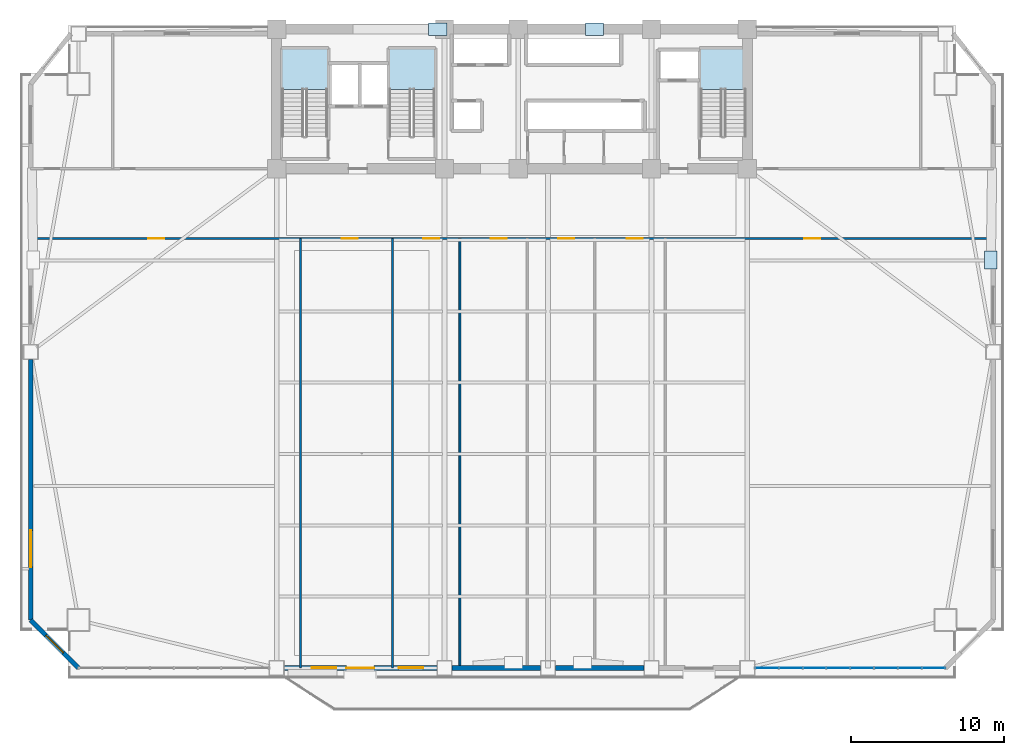
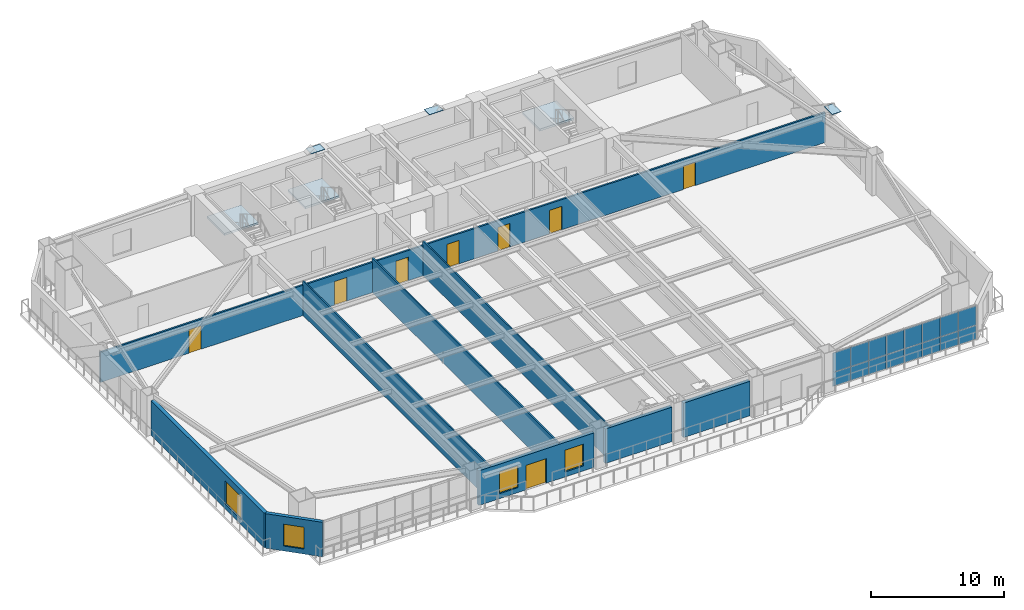
# One storey, part 9 of 18: 19 plates, 9 walls, 8 doors, 4 windows, 3 slabs, 12 openings, 4 elements without a shape of their own.
"""IFC4 building model written with IfcOpenShell, lengths in metres."""

from ifc_helpers import new_model, si_unit, direction, frame, frame_2d, origin, origin_2d, place, context, subcontext, project, spatial, polyline, rectangle, outline, extrude, source, transform, mapped, material, layer, layer_set, type_object, element, fill, aggregate, save


model = new_model("IFC4")

# Units and contexts
model_context = context("Model", 3, precision=1e-05, world=origin(), true_north=direction((0.0, 1.0)))
body_context = subcontext(model_context, "Body", "Model", "MODEL_VIEW")
ifc_project = project(units=[si_unit("LENGTHUNIT", "METRE"), si_unit("AREAUNIT", "SQUARE_METRE"), si_unit("VOLUMEUNIT", "CUBIC_METRE"), si_unit("PLANEANGLEUNIT", "RADIAN"), si_unit("MASSUNIT", "GRAM", prefix="KILO")], contexts=[model_context])

# Site, building, storey
site_placement = place(None, origin())
site = spatial("IfcSite", under=ifc_project, at=site_placement, CompositionType="ELEMENT")
building_placement = place(site_placement, origin())
building = spatial("IfcBuilding", under=site, at=building_placement, Name="Giltprow Tower", CompositionType="ELEMENT")
storey_placement = place(building_placement, frame((0.0, 0.0, 65.0)))
storey = spatial("IfcBuildingStorey", under=building, at=storey_placement, Name="L16", CompositionType="ELEMENT", Elevation=65.0)

# Stair, slab
ifc_material_1 = material(Name="Concrete C40", Category="concrete")
stair_type_1 = type_object("IfcStairType", Name="STR-ST-1", PredefinedType="HALF_TURN_STAIR", material=ifc_material_1)
stair_1_placement = place(storey_placement, origin())
stair_1 = element("IfcStair", 1, at=stair_1_placement, inside=storey, type_object=stair_type_1, Name="L16 Core Exit Stair ST-1", PredefinedType="HALF_TURN_STAIR")
ifc_layer_1 = layer(ifc_material_1, 0.179931640625, Name="Concrete C40")
ifc_layer_set_1 = layer_set([ifc_layer_1], Name="Concrete C40")
slab_type_1 = type_object("IfcSlabType", Name="SLD-ST-1", PredefinedType="LANDING", material=ifc_layer_set_1)
slab_1_placement = place(storey_placement, frame((0.0, 0.0, 1.77001953125)))
slab_1 = element("IfcSlab", 2, at=slab_1_placement, type_object=slab_type_1, Name="ST-1 landing 1", PredefinedType="LANDING", context=body_context, shape_type="SweptSolid", body=[
    extrude(outline(polyline([(23.159912109375, 42.6298828125), (23.159912109375, 45.25), (20.199951171875, 45.25), (20.199951171875, 42.6298828125), (23.159912109375, 42.6298828125)])), origin(), (0.0, 0.0, 1.0), 0.179931640625),
])
aggregate(stair_1, [slab_1])

stair_type_2 = type_object("IfcStairType", Name="STR-ST-2", PredefinedType="HALF_TURN_STAIR", material=ifc_material_1)
stair_2_placement = place(storey_placement, origin())
stair_2 = element("IfcStair", 3, at=stair_2_placement, inside=storey, type_object=stair_type_2, Name="L16 Core Exit Stair ST-2", PredefinedType="HALF_TURN_STAIR")
ifc_layer_2 = layer(ifc_material_1, 0.18798828125, Name="Concrete C40")
ifc_layer_set_2 = layer_set([ifc_layer_2], Name="Concrete C40")
slab_type_2 = type_object("IfcSlabType", Name="SLD-ST-2", PredefinedType="LANDING", material=ifc_layer_set_2)
slab_2_placement = place(storey_placement, frame((0.0, 0.0, 1.761962890625)))
slab_2 = element("IfcSlab", 4, at=slab_2_placement, type_object=slab_type_2, Name="ST-2 landing 1", PredefinedType="LANDING", context=body_context, shape_type="SweptSolid", body=[
    extrude(outline(polyline([(30.159912109375, 42.6298828125), (30.159912109375, 45.25), (27.199951171875, 45.25), (27.199951171875, 42.6298828125), (30.159912109375, 42.6298828125)])), origin(), (0.0, 0.0, 1.0), 0.18798828125),
])
aggregate(stair_2, [slab_2])

stair_type_3 = type_object("IfcStairType", Name="STR-ST-3", PredefinedType="HALF_TURN_STAIR", material=ifc_material_1)
stair_3_placement = place(storey_placement, origin())
stair_3 = element("IfcStair", 5, at=stair_3_placement, inside=storey, type_object=stair_type_3, Name="L16 Core Exit Stair ST-3", PredefinedType="HALF_TURN_STAIR")
ifc_layer_3 = layer(ifc_material_1, 0.196044921875, Name="Concrete C40")
ifc_layer_set_3 = layer_set([ifc_layer_3], Name="Concrete C40")
slab_type_3 = type_object("IfcSlabType", Name="SLD-ST-3", PredefinedType="LANDING", material=ifc_layer_set_3)
slab_3_placement = place(storey_placement, frame((0.0, 0.0, 1.75390625)))
slab_3 = element("IfcSlab", 6, at=slab_3_placement, type_object=slab_type_3, Name="ST-3 landing 1", PredefinedType="LANDING", context=body_context, shape_type="SweptSolid", body=[
    extrude(outline(polyline([(50.4599609375, 42.6298828125), (50.4599609375, 45.25), (47.5, 45.25), (47.5, 42.6298828125), (50.4599609375, 42.6298828125)])), origin(), (0.0, 0.0, 1.0), 0.196044921875),
])
aggregate(stair_3, [slab_3])

# Plates
ifc_material_2 = material(Name="Structural steel Q420GJC", Category="steel")
plate_type_1 = type_object("IfcPlateType", Name="PLT-CAP-SEAL", PredefinedType="USERDEFINED", material=ifc_material_2)
shared_shape_1 = source(origin(), body_context, "Body", "SweptSolid", [
    extrude(rectangle(XDim=1.199951171875, YDim=0.800048828125, at=origin_2d()), origin(), (0.0, 0.0, 1.0), 0.034912109375),
])
for number, where, z_axis, x_axis, name in (
    (7, (30.35009765625, 46.550048828125, 3.74267578125), (0.0, 0.0, 1.0), (1.0, 0.0, 0.0), "Mega-Brace Node L16-N-LB"),
    (8, (40.5830078125, 46.550048828125, 3.74267578125), (0.0, 0.0, 1.0), (1.0, 0.0, 0.0), "Mega-Brace Node L16-N-RB"),
    (9, (66.43896484375, 31.49609375, 3.88232421875), (0.0, 0.0, 1.0), (0.0, 1.0, 0.0), "Mega-Brace Node L16-E-RB"),
):
    element("IfcPlate", number, at=place(storey_placement, frame(where, z_axis=z_axis, x_axis=x_axis)), inside=storey, type_object=plate_type_1, Name=name, ObjectType="SPLICE", PredefinedType="USERDEFINED", context=body_context, shape_type="MappedRepresentation", body=[
        mapped(shared_shape_1, transform((0.0, 0.0, 0.0), x_axis=(1.0, 0.0, 0.0), y_axis=(0.0, 1.0, 0.0), z_axis=(0.0, 0.0, 1.0), scale=1.0)),
    ])

# Curtain wall, plates
ifc_material_3 = material(Name="Anodized bronze", Category="metal")
ifc_layer_4 = layer(ifc_material_3, 0.179931640625, Name="Anodized bronze")
ifc_layer_set_4 = layer_set([ifc_layer_4], Name="Anodized bronze")
curtain_wall_type = type_object("IfcCurtainWallType", Name="CW-OFF-RECESSED", PredefinedType="NOTDEFINED", material=ifc_layer_set_4)
curtain_wall_placement = place(storey_placement, origin())
curtain_wall = element("IfcCurtainWall", 10, at=curtain_wall_placement, inside=storey, type_object=curtain_wall_type, Name="L16 South Recessed Curtain Wall 6", PredefinedType="NOTDEFINED")
ifc_material_4 = material(Name="Insulated glass", Category="glass")
plate_type_2 = type_object("IfcPlateType", Name="CW-PANEL-IGU-28", PredefinedType="CURTAIN_PANEL", material=ifc_material_4)
shared_shape_2 = source(origin(), body_context, "Body", "SweptSolid", [
    extrude(rectangle(XDim=1.52294921875, YDim=0.028076171875, at=origin_2d()), origin(), (0.0, 0.0, 1.0), 1.259033203125),
])
plate_1_placement = place(storey_placement, frame((51.825927734375, 4.882080078125, 0.0546875), z_axis=(0.0, 0.0, 1.0), x_axis=(1.0, 0.0, 0.0)))
plate_1 = element("IfcPlate", 11, at=plate_1_placement, type_object=plate_type_2, Name="L16 South Recessed Curtain Wall 6 Glazing Panel 1-1", PredefinedType="CURTAIN_PANEL", context=body_context, shape_type="MappedRepresentation", body=[
    mapped(shared_shape_2, transform((0.0, 0.0, 0.0), x_axis=(1.0, 0.0, 0.0), y_axis=(0.0, 1.0, 0.0), z_axis=(0.0, 0.0, 1.0), scale=1.0)),
])
plate_2_placement = place(storey_placement, frame((53.3798828125, 4.882080078125, 0.0546875), z_axis=(0.0, 0.0, 1.0), x_axis=(1.0, 0.0, 0.0)))
plate_2 = element("IfcPlate", 12, at=plate_2_placement, type_object=plate_type_2, Name="L16 South Recessed Curtain Wall 6 Glazing Panel 2-1", PredefinedType="CURTAIN_PANEL", context=body_context, shape_type="MappedRepresentation", body=[
    mapped(shared_shape_2, transform((0.0, 0.0, 0.0), x_axis=(1.0, 0.0, 0.0), y_axis=(0.0, 1.0, 0.0), z_axis=(0.0, 0.0, 1.0), scale=1.0)),
])
plate_3_placement = place(storey_placement, frame((54.931884765625, 4.882080078125, 0.0546875), z_axis=(0.0, 0.0, 1.0), x_axis=(1.0, 0.0, 0.0)))
plate_3 = element("IfcPlate", 13, at=plate_3_placement, type_object=plate_type_2, Name="L16 South Recessed Curtain Wall 6 Glazing Panel 3-1", PredefinedType="CURTAIN_PANEL", context=body_context, shape_type="MappedRepresentation", body=[
    mapped(shared_shape_2, transform((0.0, 0.0, 0.0), x_axis=(1.0, 0.0, 0.0), y_axis=(0.0, 1.0, 0.0), z_axis=(0.0, 0.0, 1.0), scale=1.0)),
])
plate_4_placement = place(storey_placement, frame((56.485107421875, 4.882080078125, 0.0546875), z_axis=(0.0, 0.0, 1.0), x_axis=(1.0, 0.0, 0.0)))
plate_4 = element("IfcPlate", 14, at=plate_4_placement, type_object=plate_type_2, Name="L16 South Recessed Curtain Wall 6 Glazing Panel 4-1", PredefinedType="CURTAIN_PANEL", context=body_context, shape_type="MappedRepresentation", body=[
    mapped(shared_shape_2, transform((0.0, 0.0, 0.0), x_axis=(1.0, 0.0, 0.0), y_axis=(0.0, 1.0, 0.0), z_axis=(0.0, 0.0, 1.0), scale=1.0)),
])
plate_5_placement = place(storey_placement, frame((58.0380859375, 4.882080078125, 0.0546875), z_axis=(0.0, 0.0, 1.0), x_axis=(1.0, 0.0, 0.0)))
plate_5 = element("IfcPlate", 15, at=plate_5_placement, type_object=plate_type_2, Name="L16 South Recessed Curtain Wall 6 Glazing Panel 5-1", PredefinedType="CURTAIN_PANEL", context=body_context, shape_type="MappedRepresentation", body=[
    mapped(shared_shape_2, transform((0.0, 0.0, 0.0), x_axis=(1.0, 0.0, 0.0), y_axis=(0.0, 1.0, 0.0), z_axis=(0.0, 0.0, 1.0), scale=1.0)),
])
plate_6_placement = place(storey_placement, frame((59.591064453125, 4.882080078125, 0.0546875), z_axis=(0.0, 0.0, 1.0), x_axis=(1.0, 0.0, 0.0)))
plate_6 = element("IfcPlate", 16, at=plate_6_placement, type_object=plate_type_2, Name="L16 South Recessed Curtain Wall 6 Glazing Panel 6-1", PredefinedType="CURTAIN_PANEL", context=body_context, shape_type="MappedRepresentation", body=[
    mapped(shared_shape_2, transform((0.0, 0.0, 0.0), x_axis=(1.0, 0.0, 0.0), y_axis=(0.0, 1.0, 0.0), z_axis=(0.0, 0.0, 1.0), scale=1.0)),
])
plate_7_placement = place(storey_placement, frame((61.14404296875, 4.882080078125, 0.0546875), z_axis=(0.0, 0.0, 1.0), x_axis=(1.0, 0.0, 0.0)))
plate_7 = element("IfcPlate", 17, at=plate_7_placement, type_object=plate_type_2, Name="L16 South Recessed Curtain Wall 6 Glazing Panel 7-1", PredefinedType="CURTAIN_PANEL", context=body_context, shape_type="MappedRepresentation", body=[
    mapped(shared_shape_2, transform((0.0, 0.0, 0.0), x_axis=(1.0, 0.0, 0.0), y_axis=(0.0, 1.0, 0.0), z_axis=(0.0, 0.0, 1.0), scale=1.0)),
])
plate_8_placement = place(storey_placement, frame((62.697021484375, 4.882080078125, 0.0546875), z_axis=(0.0, 0.0, 1.0), x_axis=(1.0, 0.0, 0.0)))
plate_8 = element("IfcPlate", 18, at=plate_8_placement, type_object=plate_type_2, Name="L16 South Recessed Curtain Wall 6 Glazing Panel 8-1", PredefinedType="CURTAIN_PANEL", context=body_context, shape_type="MappedRepresentation", body=[
    mapped(shared_shape_2, transform((0.0, 0.0, 0.0), x_axis=(1.0, 0.0, 0.0), y_axis=(0.0, 1.0, 0.0), z_axis=(0.0, 0.0, 1.0), scale=1.0)),
])
shared_shape_3 = source(origin(), body_context, "Body", "SweptSolid", [
    extrude(rectangle(XDim=1.52294921875, YDim=0.028076171875, at=origin_2d()), origin(), (0.0, 0.0, 1.0), 1.764892578125),
])
plate_9_placement = place(storey_placement, frame((51.825927734375, 4.882080078125, 1.341796875), z_axis=(0.0, 0.0, 1.0), x_axis=(1.0, 0.0, 0.0)))
plate_9 = element("IfcPlate", 19, at=plate_9_placement, type_object=plate_type_2, Name="L16 South Recessed Curtain Wall 6 Glazing Panel 1-2", PredefinedType="CURTAIN_PANEL", context=body_context, shape_type="MappedRepresentation", body=[
    mapped(shared_shape_3, transform((0.0, 0.0, 0.0), x_axis=(1.0, 0.0, 0.0), y_axis=(0.0, 1.0, 0.0), z_axis=(0.0, 0.0, 1.0), scale=1.0)),
])
plate_10_placement = place(storey_placement, frame((53.3798828125, 4.882080078125, 1.341796875), z_axis=(0.0, 0.0, 1.0), x_axis=(1.0, 0.0, 0.0)))
plate_10 = element("IfcPlate", 20, at=plate_10_placement, type_object=plate_type_2, Name="L16 South Recessed Curtain Wall 6 Glazing Panel 2-2", PredefinedType="CURTAIN_PANEL", context=body_context, shape_type="MappedRepresentation", body=[
    mapped(shared_shape_3, transform((0.0, 0.0, 0.0), x_axis=(1.0, 0.0, 0.0), y_axis=(0.0, 1.0, 0.0), z_axis=(0.0, 0.0, 1.0), scale=1.0)),
])
plate_11_placement = place(storey_placement, frame((54.931884765625, 4.882080078125, 1.341796875), z_axis=(0.0, 0.0, 1.0), x_axis=(1.0, 0.0, 0.0)))
plate_11 = element("IfcPlate", 21, at=plate_11_placement, type_object=plate_type_2, Name="L16 South Recessed Curtain Wall 6 Glazing Panel 3-2", PredefinedType="CURTAIN_PANEL", context=body_context, shape_type="MappedRepresentation", body=[
    mapped(shared_shape_3, transform((0.0, 0.0, 0.0), x_axis=(1.0, 0.0, 0.0), y_axis=(0.0, 1.0, 0.0), z_axis=(0.0, 0.0, 1.0), scale=1.0)),
])
plate_12_placement = place(storey_placement, frame((56.485107421875, 4.882080078125, 1.341796875), z_axis=(0.0, 0.0, 1.0), x_axis=(1.0, 0.0, 0.0)))
plate_12 = element("IfcPlate", 22, at=plate_12_placement, type_object=plate_type_2, Name="L16 South Recessed Curtain Wall 6 Glazing Panel 4-2", PredefinedType="CURTAIN_PANEL", context=body_context, shape_type="MappedRepresentation", body=[
    mapped(shared_shape_3, transform((0.0, 0.0, 0.0), x_axis=(1.0, 0.0, 0.0), y_axis=(0.0, 1.0, 0.0), z_axis=(0.0, 0.0, 1.0), scale=1.0)),
])
plate_13_placement = place(storey_placement, frame((58.0380859375, 4.882080078125, 1.341796875), z_axis=(0.0, 0.0, 1.0), x_axis=(1.0, 0.0, 0.0)))
plate_13 = element("IfcPlate", 23, at=plate_13_placement, type_object=plate_type_2, Name="L16 South Recessed Curtain Wall 6 Glazing Panel 5-2", PredefinedType="CURTAIN_PANEL", context=body_context, shape_type="MappedRepresentation", body=[
    mapped(shared_shape_3, transform((0.0, 0.0, 0.0), x_axis=(1.0, 0.0, 0.0), y_axis=(0.0, 1.0, 0.0), z_axis=(0.0, 0.0, 1.0), scale=1.0)),
])
plate_14_placement = place(storey_placement, frame((59.591064453125, 4.882080078125, 1.341796875), z_axis=(0.0, 0.0, 1.0), x_axis=(1.0, 0.0, 0.0)))
plate_14 = element("IfcPlate", 24, at=plate_14_placement, type_object=plate_type_2, Name="L16 South Recessed Curtain Wall 6 Glazing Panel 6-2", PredefinedType="CURTAIN_PANEL", context=body_context, shape_type="MappedRepresentation", body=[
    mapped(shared_shape_3, transform((0.0, 0.0, 0.0), x_axis=(1.0, 0.0, 0.0), y_axis=(0.0, 1.0, 0.0), z_axis=(0.0, 0.0, 1.0), scale=1.0)),
])
plate_15_placement = place(storey_placement, frame((61.14404296875, 4.882080078125, 1.341796875), z_axis=(0.0, 0.0, 1.0), x_axis=(1.0, 0.0, 0.0)))
plate_15 = element("IfcPlate", 25, at=plate_15_placement, type_object=plate_type_2, Name="L16 South Recessed Curtain Wall 6 Glazing Panel 7-2", PredefinedType="CURTAIN_PANEL", context=body_context, shape_type="MappedRepresentation", body=[
    mapped(shared_shape_3, transform((0.0, 0.0, 0.0), x_axis=(1.0, 0.0, 0.0), y_axis=(0.0, 1.0, 0.0), z_axis=(0.0, 0.0, 1.0), scale=1.0)),
])
plate_16_placement = place(storey_placement, frame((62.697021484375, 4.882080078125, 1.341796875), z_axis=(0.0, 0.0, 1.0), x_axis=(1.0, 0.0, 0.0)))
plate_16 = element("IfcPlate", 26, at=plate_16_placement, type_object=plate_type_2, Name="L16 South Recessed Curtain Wall 6 Glazing Panel 8-2", PredefinedType="CURTAIN_PANEL", context=body_context, shape_type="MappedRepresentation", body=[
    mapped(shared_shape_3, transform((0.0, 0.0, 0.0), x_axis=(1.0, 0.0, 0.0), y_axis=(0.0, 1.0, 0.0), z_axis=(0.0, 0.0, 1.0), scale=1.0)),
])
aggregate(curtain_wall, [plate_1, plate_9, plate_2, plate_10, plate_3, plate_11, plate_4, plate_12, plate_5, plate_13, plate_6, plate_14, plate_7, plate_15, plate_8, plate_16])

# Wall, opening, window
ifc_material_5 = material(Name="Precast concrete C40", Category="concrete")
ifc_layer_5 = layer(ifc_material_5, 0.300048828125, Name="Precast concrete C40")
ifc_layer_set_5 = layer_set([ifc_layer_5], Name="Precast concrete C40")
wall_type_1 = type_object("IfcWallType", Name="EW-NOTCH-CHAMFER-300", PredefinedType="SOLIDWALL", material=ifc_layer_set_5)
wall_1_placement = place(storey_placement, frame((3.804931640625, 8.00390625, 0.0), z_axis=(0.0, 0.0, 1.0), x_axis=(0.707134429005, -0.707079132287, 0.0)))
wall_1 = element("IfcWall", 27, at=wall_1_placement, inside=storey, type_object=wall_type_1, Name="L16 Corner Notch Wall SW", PredefinedType="SOLIDWALL", context=body_context, shape_type="SweptSolid", body=[
    extrude(rectangle(XDim=4.4150390625, YDim=0.300048828125, at=frame_2d((2.20751953125, 0.0))), origin(), (0.0, 0.0, 1.0), 3.159912109375),
])
opening_1_placement = place(wall_1_placement, frame((1.407958984375, 0.0, 0.449951171875)))
opening_1 = element("IfcOpeningElement", 28, at=opening_1_placement, cuts=wall_1, Name="Opening WN17", PredefinedType="OPENING", context=body_context, shape_type="SweptSolid", body=[
    extrude(rectangle(XDim=1.60009765625, YDim=2.0, at=frame_2d((0.800048828125, 1.0))), frame((0.0, 0.159912109375, 0.0), z_axis=(0.0, -1.0, 0.0), x_axis=(1.0, 0.0, 0.0)), (0.0, 0.0, 1.0), 0.320068359375),
])
window_type_1 = type_object("IfcWindowType", Name="WN-COR-1600x2000", PartitioningType="SINGLE_PANEL", PredefinedType="WINDOW", material=ifc_material_4)
shared_shape_4 = source(origin(), body_context, "Body", "SweptSolid", [
    extrude(rectangle(XDim=1.60009765625, YDim=2.0, at=frame_2d((0.800048828125, 1.0))), frame((0.0, 0.030029296875, 0.0), z_axis=(0.0, -1.0, 0.0), x_axis=(1.0, 0.0, 0.0)), (0.0, 0.0, 1.0), 0.06005859375),
])
window_1_placement = place(opening_1_placement, origin())
window_1 = element("IfcWindow", 29, at=window_1_placement, inside=storey, type_object=window_type_1, Name="L16 Corner Notch Window SW", OverallHeight=2.0, OverallWidth=1.60009765625, PartitioningType="SINGLE_PANEL", PredefinedType="WINDOW", context=body_context, shape_type="MappedRepresentation", body=[
    mapped(shared_shape_4, transform((0.0, 0.0, 0.0), x_axis=(1.0, 0.0, 0.0), y_axis=(0.0, 1.0, 0.0), z_axis=(0.0, 0.0, 1.0), scale=1.0)),
])
fill(opening_1, window_1)

# Wall, openings, windows, door
ifc_layer_6 = layer(ifc_material_5, 0.320068359375, Name="Precast concrete C40")
ifc_layer_set_6 = layer_set([ifc_layer_6], Name="Precast concrete C40")
wall_type_2 = type_object("IfcWallType", Name="EW-TOW-STONE-320", PredefinedType="SOLIDWALL", material=ifc_layer_set_6)
wall_2_placement = place(storey_placement, frame((20.35009765625, 4.882080078125, 0.0), z_axis=(0.0, 0.0, 1.0), x_axis=(1.0, 0.0, 0.0)))
wall_2 = element("IfcWall", 30, at=wall_2_placement, inside=storey, type_object=wall_type_2, Name="L16 South Expressed Frame Wall 2", PredefinedType="SOLIDWALL", context=body_context, shape_type="SweptSolid", body=[
    extrude(rectangle(XDim=9.949951171875, YDim=0.320068359375, at=frame_2d((4.97509765625, 0.0))), origin(), (0.0, 0.0, 1.0), 3.159912109375),
])
opening_2_placement = place(wall_2_placement, frame((4.050048828125, 0.0, 0.0)))
opening_2 = element("IfcOpeningElement", 31, at=opening_2_placement, cuts=wall_2, Name="Opening ED25", PredefinedType="OPENING", context=body_context, shape_type="SweptSolid", body=[
    extrude(rectangle(XDim=1.800048828125, YDim=2.25, at=frame_2d((0.89990234375, 1.125))), frame((0.0, 0.169921875, 0.0), z_axis=(0.0, -1.0, 0.0), x_axis=(1.0, 0.0, 0.0)), (0.0, 0.0, 1.0), 0.340087890625),
])
opening_3_placement = place(wall_2_placement, frame((1.794921875, 0.0, 0.449951171875)))
opening_3 = element("IfcOpeningElement", 32, at=opening_3_placement, cuts=wall_2, Name="Opening WN17", PredefinedType="OPENING", context=body_context, shape_type="SweptSolid", body=[
    extrude(rectangle(XDim=1.60009765625, YDim=2.0, at=frame_2d((0.800048828125, 1.0))), frame((0.0, 0.169921875, 0.0), z_axis=(0.0, -1.0, 0.0), x_axis=(1.0, 0.0, 0.0)), (0.0, 0.0, 1.0), 0.340087890625),
])
opening_4_placement = place(wall_2_placement, frame((7.449951171875, 0.0, 0.449951171875)))
opening_4 = element("IfcOpeningElement", 33, at=opening_4_placement, cuts=wall_2, Name="Opening WN17", PredefinedType="OPENING", context=body_context, shape_type="SweptSolid", body=[
    extrude(rectangle(XDim=1.60009765625, YDim=2.0, at=frame_2d((0.800048828125, 1.0))), frame((0.0, 0.169921875, 0.0), z_axis=(0.0, -1.0, 0.0), x_axis=(1.0, 0.0, 0.0)), (0.0, 0.0, 1.0), 0.340087890625),
])
window_2_placement = place(opening_3_placement, origin())
window_2 = element("IfcWindow", 34, at=window_2_placement, inside=storey, type_object=window_type_1, Name="L16 South Window 2A", OverallHeight=2.0, OverallWidth=1.60009765625, PartitioningType="SINGLE_PANEL", PredefinedType="WINDOW", context=body_context, shape_type="MappedRepresentation", body=[
    mapped(shared_shape_4, transform((0.0, 0.0, 0.0), x_axis=(1.0, 0.0, 0.0), y_axis=(0.0, 1.0, 0.0), z_axis=(0.0, 0.0, 1.0), scale=1.0)),
])
fill(opening_3, window_2)
window_3_placement = place(opening_4_placement, origin())
window_3 = element("IfcWindow", 35, at=window_3_placement, inside=storey, type_object=window_type_1, Name="L16 South Window 2B", OverallHeight=2.0, OverallWidth=1.60009765625, PartitioningType="SINGLE_PANEL", PredefinedType="WINDOW", context=body_context, shape_type="MappedRepresentation", body=[
    mapped(shared_shape_4, transform((0.0, 0.0, 0.0), x_axis=(1.0, 0.0, 0.0), y_axis=(0.0, 1.0, 0.0), z_axis=(0.0, 0.0, 1.0), scale=1.0)),
])
fill(opening_4, window_3)
ifc_material_6 = material(Name="Anodized bronze and glass", Category="glass")
door_type_1 = type_object("IfcDoorType", Name="DR-BALC-SLIDE-1800", OperationType="SLIDING_TO_LEFT", PredefinedType="DOOR", material=ifc_material_6)
shared_shape_5 = source(origin(), body_context, "Body", "SweptSolid", [
    extrude(rectangle(XDim=1.800048828125, YDim=2.25, at=frame_2d((0.89990234375, 1.125))), frame((0.0, 0.02490234375, 0.0), z_axis=(0.0, -1.0, 0.0), x_axis=(1.0, 0.0, 0.0)), (0.0, 0.0, 1.0), 0.050048828125),
])
door_1_placement = place(opening_2_placement, origin())
door_1 = element("IfcDoor", 36, at=door_1_placement, inside=storey, type_object=door_type_1, Name="L16 Waterfront Balcony Sliding Door 1", OperationType="SLIDING_TO_LEFT", OverallHeight=2.25, OverallWidth=1.800048828125, PredefinedType="DOOR", context=body_context, shape_type="MappedRepresentation", body=[
    mapped(shared_shape_5, transform((0.0, 0.0, 0.0), x_axis=(1.0, 0.0, 0.0), y_axis=(0.0, 1.0, 0.0), z_axis=(0.0, 0.0, 1.0), scale=1.0)),
])
fill(opening_2, door_1)

# Walls
for number, where, z_axis, x_axis, name in (
    (37, (31.300048828125, 4.882080078125, 0.0), (0.0, 0.0, 1.0), (1.0, 0.0, 0.0), "L16 South Expressed Frame Wall 3"),
    (38, (38.050048828125, 4.882080078125, 0.0), (0.0, 0.0, 1.0), (1.0, 0.0, 0.0), "L16 South Expressed Frame Wall 4"),
):
    element("IfcWall", number, at=place(storey_placement, frame(where, z_axis=z_axis, x_axis=x_axis)), inside=storey, type_object=wall_type_2, Name=name, PredefinedType="SOLIDWALL", context=body_context, shape_type="SweptSolid", body=[
        extrude(rectangle(XDim=5.75, YDim=0.320068359375, at=frame_2d((2.875, 0.0))), origin(), (0.0, 0.0, 1.0), 3.159912109375),
    ])

# Wall, opening, window
wall_3_placement = place(storey_placement, frame((3.804931640625, 8.00390625, 0.0), z_axis=(0.0, 0.0, 1.0), x_axis=(0.0, 1.0, 0.0)))
wall_3 = element("IfcWall", 39, at=wall_3_placement, inside=storey, type_object=wall_type_2, Name="L16 W Wing Masonry Wall 1", PredefinedType="SOLIDWALL", context=body_context, shape_type="SweptSolid", body=[
    extrude(rectangle(XDim=16.987060546875, YDim=0.320068359375, at=frame_2d((8.49365234375, 0.0))), origin(), (0.0, 0.0, 1.0), 3.159912109375),
])
opening_5_placement = place(wall_3_placement, frame((3.45703125, 0.0, 0.449951171875)))
opening_5 = element("IfcOpeningElement", 40, at=opening_5_placement, cuts=wall_3, Name="Opening WN29", PredefinedType="OPENING", context=body_context, shape_type="SweptSolid", body=[
    extrude(rectangle(XDim=2.39990234375, YDim=2.10009765625, at=frame_2d((1.199951171875, 1.050048828125))), frame((0.0, 0.169921875, 0.0), z_axis=(0.0, -1.0, 0.0), x_axis=(1.0, 0.0, 0.0)), (0.0, 0.0, 1.0), 0.340087890625),
])
window_type_2 = type_object("IfcWindowType", Name="WN-OFF-2400x2100", PartitioningType="DOUBLE_PANEL_VERTICAL", PredefinedType="WINDOW", material=ifc_material_4)
shared_shape_6 = source(origin(), body_context, "Body", "SweptSolid", [
    extrude(rectangle(XDim=2.39990234375, YDim=2.10009765625, at=frame_2d((1.199951171875, 1.050048828125))), frame((0.0, 0.030029296875, 0.0), z_axis=(0.0, -1.0, 0.0), x_axis=(1.0, 0.0, 0.0)), (0.0, 0.0, 1.0), 0.06005859375),
])
window_4_placement = place(opening_5_placement, origin())
window_4 = element("IfcWindow", 41, at=window_4_placement, inside=storey, type_object=window_type_2, Name="L16 W Wing Window 1-1A", OverallHeight=2.10009765625, OverallWidth=2.39990234375, PartitioningType="SINGLE_PANEL", PredefinedType="WINDOW", context=body_context, shape_type="MappedRepresentation", body=[
    mapped(shared_shape_6, transform((0.0, 0.0, 0.0), x_axis=(1.0, 0.0, 0.0), y_axis=(0.0, 1.0, 0.0), z_axis=(0.0, 0.0, 1.0), scale=1.0)),
])
fill(opening_5, window_4)

# Wall, openings, doors
ifc_material_7 = material(Name="Gypsum stud partition", Category="gypsum")
ifc_layer_7 = layer(ifc_material_7, 0.14990234375, Name="Gypsum stud partition")
ifc_layer_set_7 = layer_set([ifc_layer_7], Name="Gypsum stud partition")
wall_type_3 = type_object("IfcWallType", Name="IW-CORR-150", PredefinedType="PARTITIONING", material=ifc_layer_set_7)
wall_4_placement = place(storey_placement, frame((3.804931640625, 32.89990234375, 0.0), z_axis=(0.0, 0.0, 1.0), x_axis=(1.0, 0.0, 0.0)))
wall_4 = element("IfcWall", 42, at=wall_4_placement, inside=storey, type_object=wall_type_3, Name="L16 Office Loop Corridor Wall", PredefinedType="PARTITIONING", context=body_context, shape_type="SweptSolid", body=[
    extrude(rectangle(XDim=62.791015625, YDim=0.14990234375, at=frame_2d((31.3955078125, 0.0))), origin(), (0.0, 0.0, 1.0), 2.764892578125),
])
opening_6_placement = place(wall_4_placement, frame((7.6689453125, 0.0, 0.0)))
opening_6 = element("IfcOpeningElement", 43, at=opening_6_placement, cuts=wall_4, Name="Opening ID31", PredefinedType="OPENING", context=body_context, shape_type="SweptSolid", body=[
    extrude(rectangle(XDim=1.050048828125, YDim=2.14990234375, at=frame_2d((0.52490234375, 1.074951171875))), frame((0.0, 0.0849609375, 0.0), z_axis=(0.0, -1.0, 0.0), x_axis=(1.0, 0.0, 0.0)), (0.0, 0.0, 1.0), 0.169921875),
])
opening_7_placement = place(wall_4_placement, frame((20.278076171875, 0.0, 0.0)))
opening_7 = element("IfcOpeningElement", 44, at=opening_7_placement, cuts=wall_4, Name="Opening ID31", PredefinedType="OPENING", context=body_context, shape_type="SweptSolid", body=[
    extrude(rectangle(XDim=1.050048828125, YDim=2.14990234375, at=frame_2d((0.52490234375, 1.074951171875))), frame((0.0, 0.0849609375, 0.0), z_axis=(0.0, -1.0, 0.0), x_axis=(1.0, 0.0, 0.0)), (0.0, 0.0, 1.0), 0.169921875),
])
opening_8_placement = place(wall_4_placement, frame((25.60595703125, 0.0, 0.0)))
opening_8 = element("IfcOpeningElement", 45, at=opening_8_placement, cuts=wall_4, Name="Opening ID31", PredefinedType="OPENING", context=body_context, shape_type="SweptSolid", body=[
    extrude(rectangle(XDim=1.050048828125, YDim=2.14990234375, at=frame_2d((0.52490234375, 1.074951171875))), frame((0.0, 0.0849609375, 0.0), z_axis=(0.0, -1.0, 0.0), x_axis=(1.0, 0.0, 0.0)), (0.0, 0.0, 1.0), 0.169921875),
])
opening_9_placement = place(wall_4_placement, frame((30.006103515625, 0.0, 0.0)))
opening_9 = element("IfcOpeningElement", 46, at=opening_9_placement, cuts=wall_4, Name="Opening ID31", PredefinedType="OPENING", context=body_context, shape_type="SweptSolid", body=[
    extrude(rectangle(XDim=1.050048828125, YDim=2.14990234375, at=frame_2d((0.52490234375, 1.074951171875))), frame((0.0, 0.0849609375, 0.0), z_axis=(0.0, -1.0, 0.0), x_axis=(1.0, 0.0, 0.0)), (0.0, 0.0, 1.0), 0.169921875),
])
opening_10_placement = place(wall_4_placement, frame((34.406005859375, 0.0, 0.0)))
opening_10 = element("IfcOpeningElement", 47, at=opening_10_placement, cuts=wall_4, Name="Opening ID31", PredefinedType="OPENING", context=body_context, shape_type="SweptSolid", body=[
    extrude(rectangle(XDim=1.050048828125, YDim=2.14990234375, at=frame_2d((0.52490234375, 1.074951171875))), frame((0.0, 0.0849609375, 0.0), z_axis=(0.0, -1.0, 0.0), x_axis=(1.0, 0.0, 0.0)), (0.0, 0.0, 1.0), 0.169921875),
])
opening_11_placement = place(wall_4_placement, frame((38.889892578125, 0.0, 0.0)))
opening_11 = element("IfcOpeningElement", 48, at=opening_11_placement, cuts=wall_4, Name="Opening ID31", PredefinedType="OPENING", context=body_context, shape_type="SweptSolid", body=[
    extrude(rectangle(XDim=1.050048828125, YDim=2.14990234375, at=frame_2d((0.52490234375, 1.074951171875))), frame((0.0, 0.0849609375, 0.0), z_axis=(0.0, -1.0, 0.0), x_axis=(1.0, 0.0, 0.0)), (0.0, 0.0, 1.0), 0.169921875),
])
opening_12_placement = place(wall_4_placement, frame((50.4599609375, 0.0, 0.0)))
opening_12 = element("IfcOpeningElement", 49, at=opening_12_placement, cuts=wall_4, Name="Opening ID31", PredefinedType="OPENING", context=body_context, shape_type="SweptSolid", body=[
    extrude(rectangle(XDim=1.050048828125, YDim=2.14990234375, at=frame_2d((0.52490234375, 1.074951171875))), frame((0.0, 0.0849609375, 0.0), z_axis=(0.0, -1.0, 0.0), x_axis=(1.0, 0.0, 0.0)), (0.0, 0.0, 1.0), 0.169921875),
])
ifc_material_8 = material(Name="Engineered timber", Category="wood")
door_type_2 = type_object("IfcDoorType", Name="DR-SUITE-1050", OperationType="SINGLE_SWING_LEFT", PredefinedType="DOOR", material=ifc_material_8)
shared_shape_7 = source(origin(), body_context, "Body", "SweptSolid", [
    extrude(rectangle(XDim=1.050048828125, YDim=2.14990234375, at=frame_2d((0.52490234375, 1.074951171875))), frame((0.0, 0.02490234375, 0.0), z_axis=(0.0, -1.0, 0.0), x_axis=(1.0, 0.0, 0.0)), (0.0, 0.0, 1.0), 0.050048828125),
])
door_2_placement = place(opening_6_placement, origin())
door_2 = element("IfcDoor", 50, at=door_2_placement, inside=storey, type_object=door_type_2, Name="L16 Board Meeting Room 1 Door", OperationType="SINGLE_SWING_LEFT", OverallHeight=2.14990234375, OverallWidth=1.050048828125, PredefinedType="DOOR", context=body_context, shape_type="MappedRepresentation", body=[
    mapped(shared_shape_7, transform((0.0, 0.0, 0.0), x_axis=(1.0, 0.0, 0.0), y_axis=(0.0, 1.0, 0.0), z_axis=(0.0, 0.0, 1.0), scale=1.0)),
])
fill(opening_6, door_2)
door_3_placement = place(opening_7_placement, origin())
door_3 = element("IfcDoor", 51, at=door_3_placement, inside=storey, type_object=door_type_2, Name="L16 Committee Meeting Room 2 Door", OperationType="SINGLE_SWING_RIGHT", OverallHeight=2.14990234375, OverallWidth=1.050048828125, PredefinedType="DOOR", context=body_context, shape_type="MappedRepresentation", body=[
    mapped(shared_shape_7, transform((0.0, 0.0, 0.0), x_axis=(1.0, 0.0, 0.0), y_axis=(0.0, 1.0, 0.0), z_axis=(0.0, 0.0, 1.0), scale=1.0)),
])
fill(opening_7, door_3)
door_4_placement = place(opening_8_placement, origin())
door_4 = element("IfcDoor", 52, at=door_4_placement, inside=storey, type_object=door_type_2, Name="L16 Arbitration Meeting Room 3 Door", OperationType="SINGLE_SWING_LEFT", OverallHeight=2.14990234375, OverallWidth=1.050048828125, PredefinedType="DOOR", context=body_context, shape_type="MappedRepresentation", body=[
    mapped(shared_shape_7, transform((0.0, 0.0, 0.0), x_axis=(1.0, 0.0, 0.0), y_axis=(0.0, 1.0, 0.0), z_axis=(0.0, 0.0, 1.0), scale=1.0)),
])
fill(opening_8, door_4)
door_5_placement = place(opening_9_placement, origin())
door_5 = element("IfcDoor", 53, at=door_5_placement, inside=storey, type_object=door_type_2, Name="L16 Tribunal Meeting Room 4 Door", OperationType="SINGLE_SWING_RIGHT", OverallHeight=2.14990234375, OverallWidth=1.050048828125, PredefinedType="DOOR", context=body_context, shape_type="MappedRepresentation", body=[
    mapped(shared_shape_7, transform((0.0, 0.0, 0.0), x_axis=(1.0, 0.0, 0.0), y_axis=(0.0, 1.0, 0.0), z_axis=(0.0, 0.0, 1.0), scale=1.0)),
])
fill(opening_9, door_5)
door_6_placement = place(opening_10_placement, origin())
door_6 = element("IfcDoor", 54, at=door_6_placement, inside=storey, type_object=door_type_2, Name="L16 Townhall Meeting Room 5 Door", OperationType="SINGLE_SWING_LEFT", OverallHeight=2.14990234375, OverallWidth=1.050048828125, PredefinedType="DOOR", context=body_context, shape_type="MappedRepresentation", body=[
    mapped(shared_shape_7, transform((0.0, 0.0, 0.0), x_axis=(1.0, 0.0, 0.0), y_axis=(0.0, 1.0, 0.0), z_axis=(0.0, 0.0, 1.0), scale=1.0)),
])
fill(opening_10, door_6)
door_7_placement = place(opening_11_placement, origin())
door_7 = element("IfcDoor", 55, at=door_7_placement, inside=storey, type_object=door_type_2, Name="L16 Briefing Meeting Room 6 Door", OperationType="SINGLE_SWING_RIGHT", OverallHeight=2.14990234375, OverallWidth=1.050048828125, PredefinedType="DOOR", context=body_context, shape_type="MappedRepresentation", body=[
    mapped(shared_shape_7, transform((0.0, 0.0, 0.0), x_axis=(1.0, 0.0, 0.0), y_axis=(0.0, 1.0, 0.0), z_axis=(0.0, 0.0, 1.0), scale=1.0)),
])
fill(opening_11, door_7)
door_8_placement = place(opening_12_placement, origin())
door_8 = element("IfcDoor", 56, at=door_8_placement, inside=storey, type_object=door_type_2, Name="L16 Executive Office Door", OperationType="SINGLE_SWING_LEFT", OverallHeight=2.14990234375, OverallWidth=1.050048828125, PredefinedType="DOOR", context=body_context, shape_type="MappedRepresentation", body=[
    mapped(shared_shape_7, transform((0.0, 0.0, 0.0), x_axis=(1.0, 0.0, 0.0), y_axis=(0.0, 1.0, 0.0), z_axis=(0.0, 0.0, 1.0), scale=1.0)),
])
fill(opening_12, door_8)

# Walls
ifc_layer_8 = layer(ifc_material_7, 0.1201171875, Name="Gypsum stud partition")
ifc_layer_set_8 = layer_set([ifc_layer_8], Name="Gypsum stud partition")
wall_type_4 = type_object("IfcWallType", Name="IW-ROOM-120", PredefinedType="PARTITIONING", material=ifc_layer_set_8)
for number, where, z_axis, x_axis, name in (
    (57, (21.39990234375, 4.882080078125, 0.0), (0.0, 0.0, 1.0), (0.0, 1.0, 0.0), "L16 Office Partition 1"),
    (58, (27.39990234375, 4.882080078125, 0.0), (0.0, 0.0, 1.0), (0.0, 1.0, 0.0), "L16 Office Partition 2"),
    (59, (31.800048828125, 4.882080078125, 0.0), (0.0, 0.0, 1.0), (0.0, 1.0, 0.0), "L16 Office Partition 3"),
):
    element("IfcWall", number, at=place(storey_placement, frame(where, z_axis=z_axis, x_axis=x_axis)), inside=storey, type_object=wall_type_4, Name=name, PredefinedType="PARTITIONING", context=body_context, shape_type="SweptSolid", body=[
        extrude(rectangle(XDim=28.017822265625, YDim=0.1201171875, at=frame_2d((14.0087890625, 0.0))), origin(), (0.0, 0.0, 1.0), 3.1650390625),
    ])

save(model, "model.ifc")
